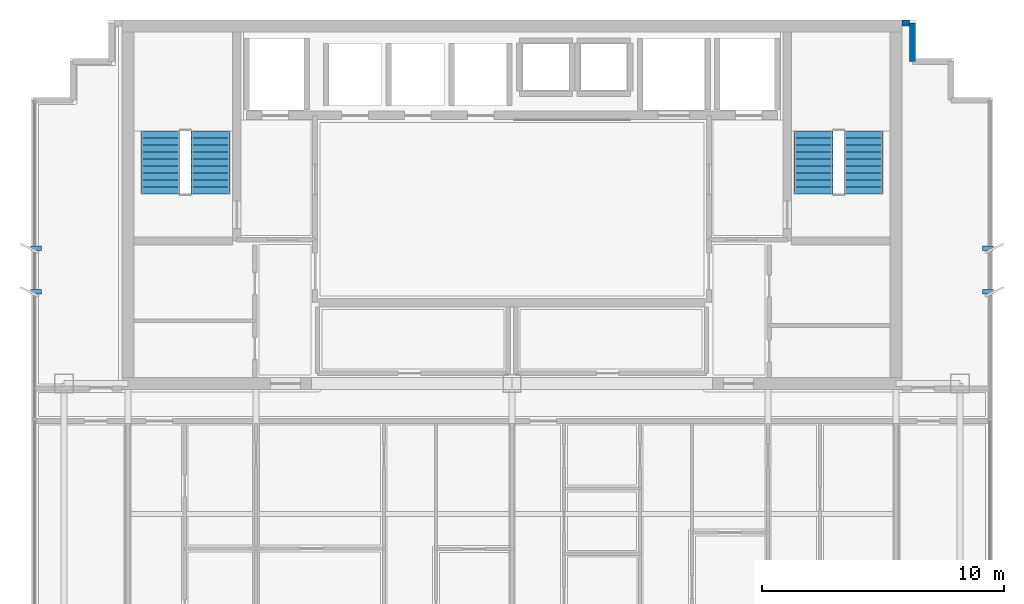
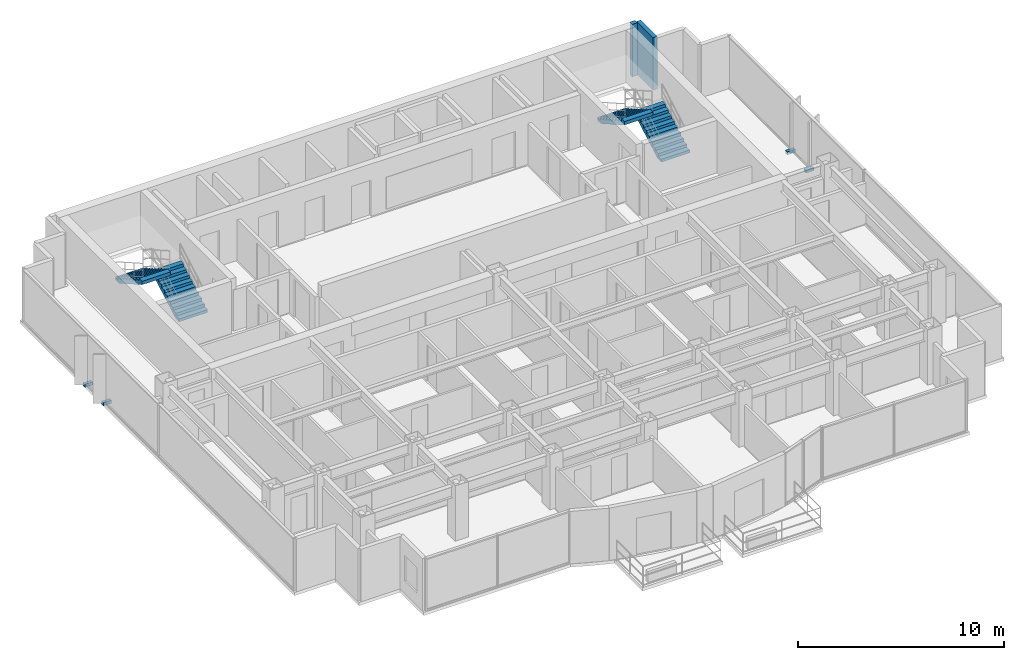
# One storey, part 10 of 12: 4 discrete accessories, 4 stair flights, 2 walls, 2 elements without a shape of their own.
"""IFC4 building model written with IfcOpenShell, lengths in metres."""

import ifcopenshell
import ifcopenshell.guid

model = None  # the IFC model being written
_history = None  # IfcOwnerHistory: only IFC2X3 demands one
_inside = {}  # id of a spatial element -> (the spatial element, [elements in it])
_under = {}  # id of a project, library or spatial element -> (it, [spatial elements below it])
_declared = {}  # id of a project -> (the project, [libraries it declares])
_typed = {}  # id of a type object -> (the type object, [elements of that type])
_made_of = {}  # id of a material, layer set ... -> (it, [elements and type objects made of it])


def new_model(schema):
    """Start an empty IFC model of exactly this schema.

    Asked for "IFC4X3", IfcOpenShell would pick the latest addendum, in which some entities
    have other attributes; the version numbers below select the first issue.
    IFC2X3 requires an IfcOwnerHistory on every rooted entity: one is made here for all.
    """
    global model, _history
    if schema == "IFC4X3":
        model = ifcopenshell.file(schema_version=(4, 3, 0, 0))
    else:
        model = ifcopenshell.file(schema=schema)
    _inside.clear()
    _under.clear()
    _declared.clear()
    _typed.clear()
    _made_of.clear()
    _history = None
    if model.schema == "IFC2X3":
        org = make("IfcOrganization", Name="unknown")
        user = make(
            "IfcPersonAndOrganization",
            ThePerson=make("IfcPerson", FamilyName="unknown"),
            TheOrganization=org,
        )
        app = make(
            "IfcApplication",
            ApplicationDeveloper=org,
            Version="unknown",
            ApplicationFullName="unknown",
            ApplicationIdentifier="unknown",
        )
        _history = make(
            "IfcOwnerHistory",
            OwningUser=user,
            OwningApplication=app,
            ChangeAction="ADDED",
            CreationDate=0,
        )
    return model


def make(cls, **values):
    """One entity of the class cls with the attributes given. An attribute that is None is left unset."""
    return model.create_entity(
        cls, **{name: value for name, value in values.items() if value is not None}
    )


def rooted(cls, **values):
    """An entity with a GlobalId (a new one), such as an element, a storey or a relation."""
    return make(cls, GlobalId=ifcopenshell.guid.new(), OwnerHistory=_history, **values)


def si_unit(unit_type, name, prefix=None):
    """IfcSIUnit, for example si_unit("LENGTHUNIT", "METRE", prefix="MILLI")."""
    return make("IfcSIUnit", UnitType=unit_type, Prefix=prefix, Name=name)


def assignment(units):
    """IfcUnitAssignment: the units of a project."""
    return None if units is None else make("IfcUnitAssignment", Units=units)


def point(xyz):
    """IfcCartesianPoint."""
    return None if xyz is None else make("IfcCartesianPoint", Coordinates=xyz)


def direction(xyz):
    """IfcDirection."""
    return None if xyz is None else make("IfcDirection", DirectionRatios=xyz)


def frame(location, z_axis=None, x_axis=None):
    """IfcAxis2Placement3D, a coordinate frame: its origin and axes. An axis left out is left unset."""
    return make(
        "IfcAxis2Placement3D",
        Location=point(location),
        Axis=direction(z_axis),
        RefDirection=direction(x_axis),
    )


def frame_2d(location, x_axis=None):
    """IfcAxis2Placement2D, a coordinate frame in the plane: its origin and x axis."""
    return make(
        "IfcAxis2Placement2D", Location=point(location), RefDirection=direction(x_axis)
    )


def origin():
    """The frame at (0, 0, 0) with its axes left unset."""
    return frame((0.0, 0.0, 0.0))


def origin_2d():
    """The frame at (0, 0) in the plane with its x axis left unset."""
    return frame_2d((0.0, 0.0))


def place(relative_to, where):
    """IfcLocalPlacement: puts the frame where relative to a parent placement (None: the world)."""
    return make(
        "IfcLocalPlacement", PlacementRelTo=relative_to, RelativePlacement=where
    )


def context(
    kind, dimensions, precision=None, world=None, true_north=None, identifier=None
):
    """IfcGeometricRepresentationContext, for example the 3D "Model" context."""
    return make(
        "IfcGeometricRepresentationContext",
        ContextIdentifier=identifier,
        ContextType=kind,
        CoordinateSpaceDimension=dimensions,
        Precision=precision,
        WorldCoordinateSystem=world,
        TrueNorth=true_north,
    )


def subcontext(parent, identifier, kind, view, scale=None):
    """IfcGeometricRepresentationSubContext, for example "Body" below "Model"."""
    return make(
        "IfcGeometricRepresentationSubContext",
        ContextIdentifier=identifier,
        ContextType=kind,
        ParentContext=parent,
        TargetScale=scale,
        TargetView=view,
    )


def project(units=None, contexts=None):
    """IfcProject with its units and contexts."""
    return rooted(
        "IfcProject",
        Name="project",
        RepresentationContexts=contexts,
        UnitsInContext=assignment(units),
    )


def spatial(cls, under=None, at=None, **own):
    """A site, building, storey or space (cls), placed at a placement, below another one or the project."""
    s = rooted(cls, ObjectPlacement=at, **own)
    if under is not None:
        _under.setdefault(under.id(), (under, []))[1].append(s)
    return s


def polyline(points):
    """IfcPolyline through the points."""
    return make("IfcPolyline", Points=[point(p) for p in points])


def profile(cls, at=None, kind="AREA", **sizes):
    """A parametric profile (cls). Its sizes go by their IFC names, for example OverallWidth=200.0."""
    return make(cls, ProfileType=kind, Position=at, **sizes)


def rectangle(**sizes):
    """IfcRectangleProfileDef."""
    return profile("IfcRectangleProfileDef", **sizes)


def outline(outer, holes=None, kind="AREA"):
    """IfcArbitraryClosedProfileDef: a profile drawn as a closed curve; with holes, ...WithVoids."""
    if holes is None:
        return make("IfcArbitraryClosedProfileDef", ProfileType=kind, OuterCurve=outer)
    return make(
        "IfcArbitraryProfileDefWithVoids",
        ProfileType=kind,
        OuterCurve=outer,
        InnerCurves=holes,
    )


def extrude(swept, where, along, depth):
    """IfcExtrudedAreaSolid: the profile swept, set in the frame where, extruded along a direction by depth."""
    return make(
        "IfcExtrudedAreaSolid",
        SweptArea=swept,
        Position=where,
        ExtrudedDirection=direction(along),
        Depth=depth,
    )


def shape(context_of_items, identifier, shape_type, items):
    """IfcShapeRepresentation: the items that make up one representation, for example the "Body"."""
    return make(
        "IfcShapeRepresentation",
        ContextOfItems=context_of_items,
        RepresentationIdentifier=identifier,
        RepresentationType=shape_type,
        Items=items,
    )


def source(mapping_origin, context_of_items, identifier, shape_type, items):
    """IfcRepresentationMap: a shape defined once, which mapped items show again and again."""
    return make(
        "IfcRepresentationMap",
        MappingOrigin=mapping_origin,
        MappedRepresentation=shape(context_of_items, identifier, shape_type, items),
    )


def transform(
    local_origin,
    x_axis=None,
    y_axis=None,
    z_axis=None,
    scale=None,
    scale2=None,
    scale3=None,
    uniform=True,
):
    """IfcCartesianTransformationOperator3D, or its non-uniform kind. x_axis, y_axis, z_axis: its Axis1, 2, 3."""
    if uniform:
        return make(
            "IfcCartesianTransformationOperator3D",
            Axis1=direction(x_axis),
            Axis2=direction(y_axis),
            LocalOrigin=point(local_origin),
            Scale=scale,
            Axis3=direction(z_axis),
        )
    return make(
        "IfcCartesianTransformationOperator3DnonUniform",
        Axis1=direction(x_axis),
        Axis2=direction(y_axis),
        LocalOrigin=point(local_origin),
        Scale=scale,
        Axis3=direction(z_axis),
        Scale2=scale2,
        Scale3=scale3,
    )


def mapped(mapping_source, mapping_target):
    """IfcMappedItem: shows the shape of a source again, moved by a transform."""
    return make(
        "IfcMappedItem", MappingSource=mapping_source, MappingTarget=mapping_target
    )


def material(Name=None, Category=None):
    """IfcMaterial."""
    return make("IfcMaterial", Name=Name, Category=Category)


def layer(
    of_material, thickness, ventilated=None, Name=None, Category=None, Priority=None
):
    """IfcMaterialLayer: one layer of a wall or slab, of a material (None: an air gap)."""
    return make(
        "IfcMaterialLayer",
        Material=of_material,
        LayerThickness=thickness,
        IsVentilated=ventilated,
        Name=Name,
        Category=Category,
        Priority=Priority,
    )


def layer_set(layers, Name=None):
    """IfcMaterialLayerSet."""
    return make("IfcMaterialLayerSet", MaterialLayers=layers, LayerSetName=Name)


def made_of(thing, what):
    """Note that an element or type object is made of a material, layer set ...; save() writes the relation."""
    if what is not None:
        _made_of.setdefault(what.id(), (what, []))[1].append(thing)
    return thing


def type_object(cls, material=None, **own):
    """A type object (cls), such as IfcWallType, which elements share."""
    return made_of(rooted(cls, **own), material)


def element(
    cls,
    number,
    at=None,
    inside=None,
    cuts=None,
    type_object=None,
    material=None,
    context=None,
    identifier="Body",
    shape_type=None,
    held_by="IfcProductDefinitionShape",
    body=None,
    shapes=None,
    **own,
):
    """One element of the class cls, such as IfcWall. Its Tag is "e" and its number.

    at: its placement. inside: the storey or other place that contains it. cuts: it is an
    opening in that element (IfcRelVoidsElement). A single representation is given by context,
    identifier, shape_type and body (its items); several are given by shapes. held_by: the class
    of the entity that holds the representations. save() writes the other relations.
    """
    e = rooted(cls, Tag="e%d" % number, ObjectPlacement=at, **own)
    if body is not None:
        shapes = [shape(context, identifier, shape_type, body)]
    if shapes is not None:
        e.Representation = make(held_by, Representations=shapes)
    if inside is not None:
        _inside.setdefault(inside.id(), (inside, []))[1].append(e)
    if cuts is not None:
        rooted(
            "IfcRelVoidsElement", RelatingBuildingElement=cuts, RelatedOpeningElement=e
        )
    if type_object is not None:
        _typed.setdefault(type_object.id(), (type_object, []))[1].append(e)
    return made_of(e, material)


def aggregate(whole, parts):
    """IfcRelAggregates: a whole, such as a stair, and the parts it consists of."""
    return rooted("IfcRelAggregates", RelatingObject=whole, RelatedObjects=parts)


def save(model, path):
    """Write the relations noted so far, then the file.

    IfcRelAggregates (storeys below a building ...), IfcRelContainedInSpatialStructure (elements
    in a storey), IfcRelDefinesByType, IfcRelAssociatesMaterial and IfcRelDeclares: one each for
    every whole, place, type object, material and project.
    """
    for whole, parts in _under.values():
        aggregate(whole, parts)
    for where, things in _inside.values():
        rooted(
            "IfcRelContainedInSpatialStructure",
            RelatedElements=things,
            RelatingStructure=where,
        )
    for kind, things in _typed.values():
        rooted("IfcRelDefinesByType", RelatedObjects=things, RelatingType=kind)
    for what, things in _made_of.values():
        rooted("IfcRelAssociatesMaterial", RelatedObjects=things, RelatingMaterial=what)
    for by, libraries in _declared.values():
        rooted("IfcRelDeclares", RelatingContext=by, RelatedDefinitions=libraries)
    model.write(path)


model = new_model("IFC4")

# Units and contexts
model_context = context("Model", 3, precision=1e-05, world=origin(), true_north=direction((0.0, 1.0)))
body_context = subcontext(model_context, "Body", "Model", "MODEL_VIEW")
ifc_project = project(units=[si_unit("LENGTHUNIT", "METRE"), si_unit("AREAUNIT", "SQUARE_METRE"), si_unit("VOLUMEUNIT", "CUBIC_METRE"), si_unit("PLANEANGLEUNIT", "RADIAN"), si_unit("MASSUNIT", "GRAM", prefix="KILO")], contexts=[model_context])

# Site, building, storey
site_placement = place(None, origin())
site = spatial("IfcSite", under=ifc_project, at=site_placement, CompositionType="ELEMENT")
building_placement = place(site_placement, origin())
building = spatial("IfcBuilding", under=site, at=building_placement, Name="Qianlan Lanfeng Residences", CompositionType="ELEMENT")
storey_placement = place(building_placement, frame((0.0, 0.0, 216.5)))
storey = spatial("IfcBuildingStorey", under=building, at=storey_placement, Name="L59", CompositionType="ELEMENT", Elevation=216.5)

# Walls
ifc_material_1 = material(Name="Concrete C42", Category="concrete")
ifc_layer = layer(ifc_material_1, 0.239990234375)
ifc_layer_set = layer_set([ifc_layer], Name="Concrete C42")
wall_type = type_object("IfcWallType", Name="EW-240", PredefinedType="SOLIDWALL", material=ifc_layer_set)
wall_1_placement = place(storey_placement, frame((43.080078125, 38.530029296875, 0.0), z_axis=(0.0, 0.0, 1.0), x_axis=(0.0, 1.0, 0.0)))
element("IfcWall", 1, at=wall_1_placement, inside=storey, type_object=wall_type, Name="L59 Exterior Facade Spandrel Wall 16", PredefinedType="SOLIDWALL", context=body_context, shape_type="SweptSolid", body=[
    extrude(rectangle(XDim=1.599853515625, YDim=0.239990234375, at=frame_2d((0.7998046875, 0.0))), origin(), (0.0, 0.0, 1.0), 3.110107421875),
])
wall_2_placement = place(storey_placement, frame((42.949951171875, 40.1298828125, 0.0), z_axis=(0.0, 0.0, 1.0), x_axis=(-1.0, 0.0, 0.0)))
element("IfcWall", 2, at=wall_2_placement, inside=storey, type_object=wall_type, Name="L59 North Wing Exterior Wall E", PredefinedType="SOLIDWALL", context=body_context, shape_type="SweptSolid", body=[
    extrude(rectangle(XDim=0.300048828125, YDim=0.239990234375, at=frame_2d((0.14990234375, 0.0))), origin(), (0.0, 0.0, 1.0), 3.110107421875),
])

# Stair, stair flights
stair_type = type_object("IfcStairType", Name="STR-MAIN", PredefinedType="HALF_TURN_STAIR", material=ifc_material_1)
stair_1_placement = place(storey_placement, origin())
stair_1 = element("IfcStair", 3, at=stair_1_placement, inside=storey, type_object=stair_type, Name="L59 Exit Stair ST-1", PredefinedType="HALF_TURN_STAIR")
stair_flight_type = type_object("IfcStairFlightType", Name="FLT-1720", PredefinedType="STRAIGHT", material=ifc_material_1)
stair_flight_1_placement = place(storey_placement, frame((14.02001953125, 33.050048828125, 0.0), z_axis=(0.0, 0.0, 1.0), x_axis=(0.0, 1.0, 0.0)))
stair_flight_1 = element("IfcStairFlight", 4, at=stair_flight_1_placement, type_object=stair_flight_type, Name="ST-1 flight 1", NumberOfRisers=10, NumberOfTreads=9, PredefinedType="STRAIGHT", RiserHeight=0.165, TreadLength=0.29, context=body_context, shape_type="SweptSolid", body=[
    extrude(outline(polyline([(0.0, 0.0), (0.0, 0.1650390625), (0.2900390625, 0.1650390625), (0.2900390625, 0.330078125), (0.580078125, 0.330078125), (0.580078125, 0.4951171875), (0.8701171875, 0.4951171875), (0.8701171875, 0.659912109375), (1.159912109375, 0.659912109375), (1.159912109375, 0.824951171875), (1.449951171875, 0.824951171875), (1.449951171875, 0.989990234375), (1.739990234375, 0.989990234375), (1.739990234375, 1.155029296875), (2.030029296875, 1.155029296875), (2.030029296875, 1.320068359375), (2.320068359375, 1.320068359375), (2.320068359375, 1.485107421875), (2.610107421875, 1.485107421875), (2.610107421875, 1.64990234375), (2.610107421875, 1.278076171875), (0.36376953125, 0.0), (0.0, 0.0)])), frame((0.0, 0.800048828125, 0.0), z_axis=(0.0, -1.0, 0.0), x_axis=(1.0, 0.0, 0.0)), (0.0, 0.0, 1.0), 1.60009765625),
])
stair_flight_2_placement = place(storey_placement, frame((11.93994140625, 35.659912109375, 1.64990234375), z_axis=(0.0, 0.0, 1.0), x_axis=(0.0, -1.0, 0.0)))
stair_flight_2 = element("IfcStairFlight", 5, at=stair_flight_2_placement, type_object=stair_flight_type, Name="ST-1 flight 2", NumberOfRisers=10, NumberOfTreads=9, PredefinedType="STRAIGHT", RiserHeight=0.165, TreadLength=0.29, context=body_context, shape_type="SweptSolid", body=[
    extrude(outline(polyline([(0.0, 0.0), (0.0, 0.1650390625), (0.2900390625, 0.1650390625), (0.2900390625, 0.330078125), (0.580078125, 0.330078125), (0.580078125, 0.4951171875), (0.8701171875, 0.4951171875), (0.8701171875, 0.659912109375), (1.159912109375, 0.659912109375), (1.159912109375, 0.824951171875), (1.449951171875, 0.824951171875), (1.449951171875, 0.989990234375), (1.739990234375, 0.989990234375), (1.739990234375, 1.155029296875), (2.030029296875, 1.155029296875), (2.030029296875, 1.320068359375), (2.320068359375, 1.320068359375), (2.320068359375, 1.485107421875), (2.610107421875, 1.485107421875), (2.610107421875, 1.64990234375), (2.610107421875, 1.278076171875), (0.36376953125, 0.0), (0.0, 0.0)])), frame((0.0, 0.800048828125, 0.0), z_axis=(0.0, -1.0, 0.0), x_axis=(1.0, 0.0, 0.0)), (0.0, 0.0, 1.0), 1.60009765625),
])
aggregate(stair_1, [stair_flight_1, stair_flight_2])

stair_2_placement = place(storey_placement, origin())
stair_2 = element("IfcStair", 6, at=stair_2_placement, inside=storey, type_object=stair_type, Name="L59 Exit Stair ST-2", PredefinedType="HALF_TURN_STAIR")
stair_flight_3_placement = place(storey_placement, frame((41.06005859375, 33.050048828125, 0.0), z_axis=(0.0, 0.0, 1.0), x_axis=(0.0, 1.0, 0.0)))
stair_flight_3 = element("IfcStairFlight", 7, at=stair_flight_3_placement, type_object=stair_flight_type, Name="ST-2 flight 1", NumberOfRisers=10, NumberOfTreads=9, PredefinedType="STRAIGHT", RiserHeight=0.165, TreadLength=0.29, context=body_context, shape_type="SweptSolid", body=[
    extrude(outline(polyline([(0.0, 0.0), (0.0, 0.1650390625), (0.2900390625, 0.1650390625), (0.2900390625, 0.330078125), (0.580078125, 0.330078125), (0.580078125, 0.4951171875), (0.8701171875, 0.4951171875), (0.8701171875, 0.659912109375), (1.159912109375, 0.659912109375), (1.159912109375, 0.824951171875), (1.449951171875, 0.824951171875), (1.449951171875, 0.989990234375), (1.739990234375, 0.989990234375), (1.739990234375, 1.155029296875), (2.030029296875, 1.155029296875), (2.030029296875, 1.320068359375), (2.320068359375, 1.320068359375), (2.320068359375, 1.485107421875), (2.610107421875, 1.485107421875), (2.610107421875, 1.64990234375), (2.610107421875, 1.278076171875), (0.36376953125, 0.0), (0.0, 0.0)])), frame((0.0, 0.800048828125, 0.0), z_axis=(0.0, -1.0, 0.0), x_axis=(1.0, 0.0, 0.0)), (0.0, 0.0, 1.0), 1.60009765625),
])
stair_flight_4_placement = place(storey_placement, frame((38.97998046875, 35.659912109375, 1.64990234375), z_axis=(0.0, 0.0, 1.0), x_axis=(0.0, -1.0, 0.0)))
stair_flight_4 = element("IfcStairFlight", 8, at=stair_flight_4_placement, type_object=stair_flight_type, Name="ST-2 flight 2", NumberOfRisers=10, NumberOfTreads=9, PredefinedType="STRAIGHT", RiserHeight=0.165, TreadLength=0.29, context=body_context, shape_type="SweptSolid", body=[
    extrude(outline(polyline([(0.0, 0.0), (0.0, 0.1650390625), (0.2900390625, 0.1650390625), (0.2900390625, 0.330078125), (0.580078125, 0.330078125), (0.580078125, 0.4951171875), (0.8701171875, 0.4951171875), (0.8701171875, 0.659912109375), (1.159912109375, 0.659912109375), (1.159912109375, 0.824951171875), (1.449951171875, 0.824951171875), (1.449951171875, 0.989990234375), (1.739990234375, 0.989990234375), (1.739990234375, 1.155029296875), (2.030029296875, 1.155029296875), (2.030029296875, 1.320068359375), (2.320068359375, 1.320068359375), (2.320068359375, 1.485107421875), (2.610107421875, 1.485107421875), (2.610107421875, 1.64990234375), (2.610107421875, 1.278076171875), (0.36376953125, 0.0), (0.0, 0.0)])), frame((0.0, 0.800048828125, 0.0), z_axis=(0.0, -1.0, 0.0), x_axis=(1.0, 0.0, 0.0)), (0.0, 0.0, 1.0), 1.60009765625),
])
aggregate(stair_2, [stair_flight_3, stair_flight_4])

# Discrete accessories
ifc_material_2 = material(Name="Stainless Steel Facade Bracket", Category="steel")
discrete_accessory_type = type_object("IfcDiscreteAccessoryType", Name="BRK-SS-350", PredefinedType="BRACKET", material=ifc_material_2)
shared_shape = source(origin(), body_context, "Body", "SweptSolid", [
    extrude(rectangle(XDim=0.449951171875, YDim=0.179931640625, at=origin_2d()), origin(), (0.0, 0.0, 1.0), 0.179931640625),
])
for number, where, z_axis, x_axis, name in (
    (9, (6.800048828125, 29.0, -0.14990234375), (0.0, 0.0, 1.0), (1.0, 0.0, 0.0), "L59 Raked Solar Fin Support Bracket W1"),
    (10, (6.800048828125, 30.800048828125, -0.14990234375), (0.0, 0.0, 1.0), (1.0, 0.0, 0.0), "L59 Raked Solar Fin Support Bracket W2"),
    (11, (46.199951171875, 29.0, -0.14990234375), (0.0, 0.0, 1.0), (1.0, 0.0, 0.0), "L59 Raked Solar Fin Support Bracket E1"),
    (12, (46.199951171875, 30.800048828125, -0.14990234375), (0.0, 0.0, 1.0), (1.0, 0.0, 0.0), "L59 Raked Solar Fin Support Bracket E2"),
):
    element("IfcDiscreteAccessory", number, at=place(storey_placement, frame(where, z_axis=z_axis, x_axis=x_axis)), inside=storey, type_object=discrete_accessory_type, Name=name, PredefinedType="BRACKET", context=body_context, shape_type="MappedRepresentation", body=[
        mapped(shared_shape, transform((0.0, 0.0, 0.0), scale=1.0)),
    ])

save(model, "model.ifc")
